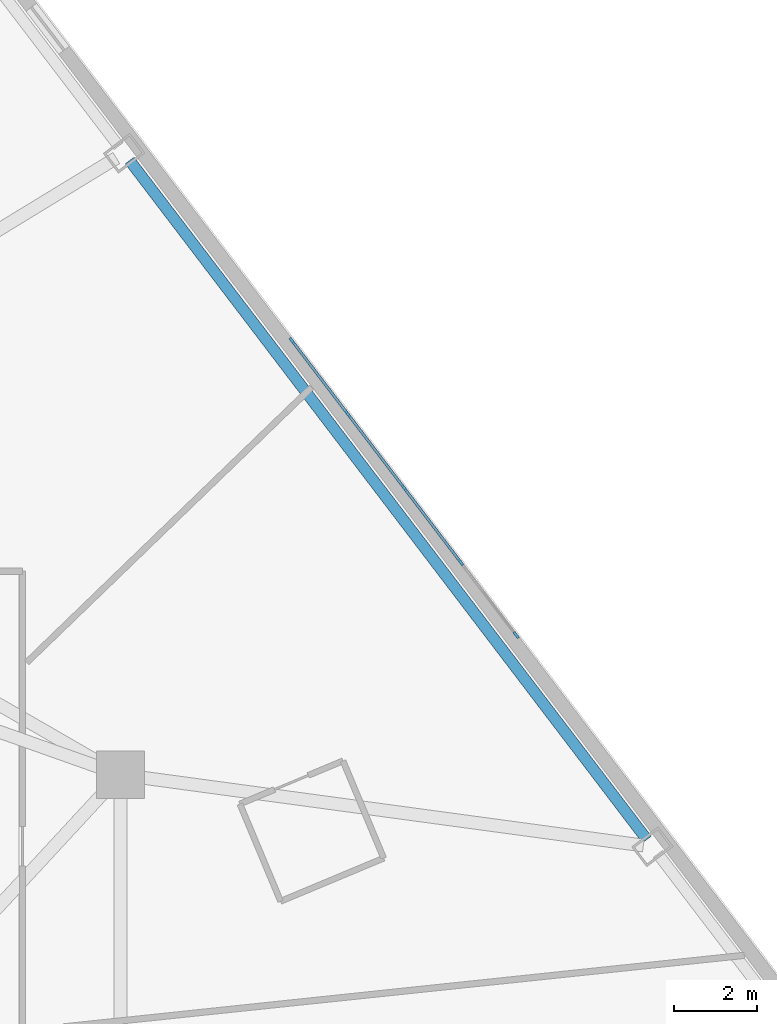
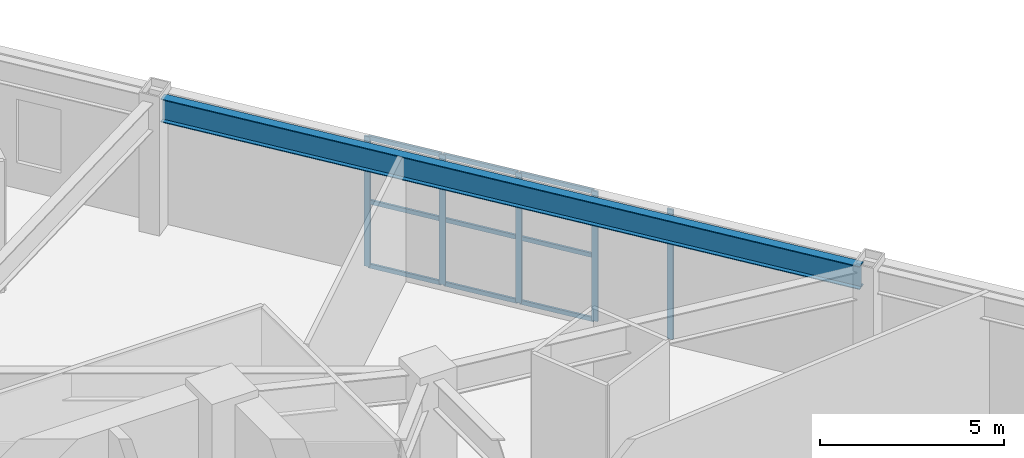
# One storey, part 6 of 21: 14 members, 1 beam, 1 element without a shape of its own.
"""IFC4 building model written with IfcOpenShell, lengths in metres."""

import ifcopenshell
import ifcopenshell.guid

model = None  # the IFC model being written
_history = None  # IfcOwnerHistory: only IFC2X3 demands one
_inside = {}  # id of a spatial element -> (the spatial element, [elements in it])
_under = {}  # id of a project, library or spatial element -> (it, [spatial elements below it])
_declared = {}  # id of a project -> (the project, [libraries it declares])
_typed = {}  # id of a type object -> (the type object, [elements of that type])
_made_of = {}  # id of a material, layer set ... -> (it, [elements and type objects made of it])


def new_model(schema):
    """Start an empty IFC model of exactly this schema.

    Asked for "IFC4X3", IfcOpenShell would pick the latest addendum, in which some entities
    have other attributes; the version numbers below select the first issue.
    IFC2X3 requires an IfcOwnerHistory on every rooted entity: one is made here for all.
    """
    global model, _history
    if schema == "IFC4X3":
        model = ifcopenshell.file(schema_version=(4, 3, 0, 0))
    else:
        model = ifcopenshell.file(schema=schema)
    _inside.clear()
    _under.clear()
    _declared.clear()
    _typed.clear()
    _made_of.clear()
    _history = None
    if model.schema == "IFC2X3":
        org = make("IfcOrganization", Name="unknown")
        user = make(
            "IfcPersonAndOrganization",
            ThePerson=make("IfcPerson", FamilyName="unknown"),
            TheOrganization=org,
        )
        app = make(
            "IfcApplication",
            ApplicationDeveloper=org,
            Version="unknown",
            ApplicationFullName="unknown",
            ApplicationIdentifier="unknown",
        )
        _history = make(
            "IfcOwnerHistory",
            OwningUser=user,
            OwningApplication=app,
            ChangeAction="ADDED",
            CreationDate=0,
        )
    return model


def make(cls, **values):
    """One entity of the class cls with the attributes given. An attribute that is None is left unset."""
    return model.create_entity(
        cls, **{name: value for name, value in values.items() if value is not None}
    )


def rooted(cls, **values):
    """An entity with a GlobalId (a new one), such as an element, a storey or a relation."""
    return make(cls, GlobalId=ifcopenshell.guid.new(), OwnerHistory=_history, **values)


def si_unit(unit_type, name, prefix=None):
    """IfcSIUnit, for example si_unit("LENGTHUNIT", "METRE", prefix="MILLI")."""
    return make("IfcSIUnit", UnitType=unit_type, Prefix=prefix, Name=name)


def assignment(units):
    """IfcUnitAssignment: the units of a project."""
    return None if units is None else make("IfcUnitAssignment", Units=units)


def point(xyz):
    """IfcCartesianPoint."""
    return None if xyz is None else make("IfcCartesianPoint", Coordinates=xyz)


def direction(xyz):
    """IfcDirection."""
    return None if xyz is None else make("IfcDirection", DirectionRatios=xyz)


def frame(location, z_axis=None, x_axis=None):
    """IfcAxis2Placement3D, a coordinate frame: its origin and axes. An axis left out is left unset."""
    return make(
        "IfcAxis2Placement3D",
        Location=point(location),
        Axis=direction(z_axis),
        RefDirection=direction(x_axis),
    )


def frame_2d(location, x_axis=None):
    """IfcAxis2Placement2D, a coordinate frame in the plane: its origin and x axis."""
    return make(
        "IfcAxis2Placement2D", Location=point(location), RefDirection=direction(x_axis)
    )


def origin():
    """The frame at (0, 0, 0) with its axes left unset."""
    return frame((0.0, 0.0, 0.0))


def origin_2d():
    """The frame at (0, 0) in the plane with its x axis left unset."""
    return frame_2d((0.0, 0.0))


def place(relative_to, where):
    """IfcLocalPlacement: puts the frame where relative to a parent placement (None: the world)."""
    return make(
        "IfcLocalPlacement", PlacementRelTo=relative_to, RelativePlacement=where
    )


def context(
    kind, dimensions, precision=None, world=None, true_north=None, identifier=None
):
    """IfcGeometricRepresentationContext, for example the 3D "Model" context."""
    return make(
        "IfcGeometricRepresentationContext",
        ContextIdentifier=identifier,
        ContextType=kind,
        CoordinateSpaceDimension=dimensions,
        Precision=precision,
        WorldCoordinateSystem=world,
        TrueNorth=true_north,
    )


def subcontext(parent, identifier, kind, view, scale=None):
    """IfcGeometricRepresentationSubContext, for example "Body" below "Model"."""
    return make(
        "IfcGeometricRepresentationSubContext",
        ContextIdentifier=identifier,
        ContextType=kind,
        ParentContext=parent,
        TargetScale=scale,
        TargetView=view,
    )


def project(units=None, contexts=None):
    """IfcProject with its units and contexts."""
    return rooted(
        "IfcProject",
        Name="project",
        RepresentationContexts=contexts,
        UnitsInContext=assignment(units),
    )


def spatial(cls, under=None, at=None, **own):
    """A site, building, storey or space (cls), placed at a placement, below another one or the project."""
    s = rooted(cls, ObjectPlacement=at, **own)
    if under is not None:
        _under.setdefault(under.id(), (under, []))[1].append(s)
    return s


def profile(cls, at=None, kind="AREA", **sizes):
    """A parametric profile (cls). Its sizes go by their IFC names, for example OverallWidth=200.0."""
    return make(cls, ProfileType=kind, Position=at, **sizes)


def rectangle(**sizes):
    """IfcRectangleProfileDef."""
    return profile("IfcRectangleProfileDef", **sizes)


def i_section(**sizes):
    """IfcIShapeProfileDef."""
    return profile("IfcIShapeProfileDef", **sizes)


def extrude(swept, where, along, depth):
    """IfcExtrudedAreaSolid: the profile swept, set in the frame where, extruded along a direction by depth."""
    return make(
        "IfcExtrudedAreaSolid",
        SweptArea=swept,
        Position=where,
        ExtrudedDirection=direction(along),
        Depth=depth,
    )


def shape(context_of_items, identifier, shape_type, items):
    """IfcShapeRepresentation: the items that make up one representation, for example the "Body"."""
    return make(
        "IfcShapeRepresentation",
        ContextOfItems=context_of_items,
        RepresentationIdentifier=identifier,
        RepresentationType=shape_type,
        Items=items,
    )


def material(Name=None, Category=None):
    """IfcMaterial."""
    return make("IfcMaterial", Name=Name, Category=Category)


def layer(
    of_material, thickness, ventilated=None, Name=None, Category=None, Priority=None
):
    """IfcMaterialLayer: one layer of a wall or slab, of a material (None: an air gap)."""
    return make(
        "IfcMaterialLayer",
        Material=of_material,
        LayerThickness=thickness,
        IsVentilated=ventilated,
        Name=Name,
        Category=Category,
        Priority=Priority,
    )


def layer_set(layers, Name=None):
    """IfcMaterialLayerSet."""
    return make("IfcMaterialLayerSet", MaterialLayers=layers, LayerSetName=Name)


def material_profile(
    of_material, cross_section, Name=None, Category=None, Priority=None
):
    """IfcMaterialProfile: a cross section and its material."""
    return make(
        "IfcMaterialProfile",
        Name=Name,
        Material=of_material,
        Profile=cross_section,
        Priority=Priority,
        Category=Category,
    )


def profile_set(profiles, Name=None, composite=None):
    """IfcMaterialProfileSet."""
    return make(
        "IfcMaterialProfileSet",
        Name=Name,
        MaterialProfiles=profiles,
        CompositeProfile=composite,
    )


def made_of(thing, what):
    """Note that an element or type object is made of a material, layer set ...; save() writes the relation."""
    if what is not None:
        _made_of.setdefault(what.id(), (what, []))[1].append(thing)
    return thing


def type_object(cls, material=None, **own):
    """A type object (cls), such as IfcWallType, which elements share."""
    return made_of(rooted(cls, **own), material)


def element(
    cls,
    number,
    at=None,
    inside=None,
    cuts=None,
    type_object=None,
    material=None,
    context=None,
    identifier="Body",
    shape_type=None,
    held_by="IfcProductDefinitionShape",
    body=None,
    shapes=None,
    **own,
):
    """One element of the class cls, such as IfcWall. Its Tag is "e" and its number.

    at: its placement. inside: the storey or other place that contains it. cuts: it is an
    opening in that element (IfcRelVoidsElement). A single representation is given by context,
    identifier, shape_type and body (its items); several are given by shapes. held_by: the class
    of the entity that holds the representations. save() writes the other relations.
    """
    e = rooted(cls, Tag="e%d" % number, ObjectPlacement=at, **own)
    if body is not None:
        shapes = [shape(context, identifier, shape_type, body)]
    if shapes is not None:
        e.Representation = make(held_by, Representations=shapes)
    if inside is not None:
        _inside.setdefault(inside.id(), (inside, []))[1].append(e)
    if cuts is not None:
        rooted(
            "IfcRelVoidsElement", RelatingBuildingElement=cuts, RelatedOpeningElement=e
        )
    if type_object is not None:
        _typed.setdefault(type_object.id(), (type_object, []))[1].append(e)
    return made_of(e, material)


def aggregate(whole, parts):
    """IfcRelAggregates: a whole, such as a stair, and the parts it consists of."""
    return rooted("IfcRelAggregates", RelatingObject=whole, RelatedObjects=parts)


def save(model, path):
    """Write the relations noted so far, then the file.

    IfcRelAggregates (storeys below a building ...), IfcRelContainedInSpatialStructure (elements
    in a storey), IfcRelDefinesByType, IfcRelAssociatesMaterial and IfcRelDeclares: one each for
    every whole, place, type object, material and project.
    """
    for whole, parts in _under.values():
        aggregate(whole, parts)
    for where, things in _inside.values():
        rooted(
            "IfcRelContainedInSpatialStructure",
            RelatedElements=things,
            RelatingStructure=where,
        )
    for kind, things in _typed.values():
        rooted("IfcRelDefinesByType", RelatedObjects=things, RelatingType=kind)
    for what, things in _made_of.values():
        rooted("IfcRelAssociatesMaterial", RelatedObjects=things, RelatingMaterial=what)
    for by, libraries in _declared.values():
        rooted("IfcRelDeclares", RelatingContext=by, RelatedDefinitions=libraries)
    model.write(path)


model = new_model("IFC4")

# Units and contexts
model_context = context("Model", 3, precision=1e-05, world=origin(), true_north=direction((0.0, 1.0)))
body_context = subcontext(model_context, "Body", "Model", "MODEL_VIEW")
ifc_project = project(units=[si_unit("LENGTHUNIT", "METRE"), si_unit("AREAUNIT", "SQUARE_METRE"), si_unit("VOLUMEUNIT", "CUBIC_METRE"), si_unit("PLANEANGLEUNIT", "RADIAN"), si_unit("MASSUNIT", "GRAM", prefix="KILO")], contexts=[model_context])

# Site, building, storey
site_placement = place(None, origin())
site = spatial("IfcSite", under=ifc_project, at=site_placement, CompositionType="ELEMENT")
building_placement = place(site_placement, origin())
building = spatial("IfcBuilding", under=site, at=building_placement, Name="Apsidion Concourse Tower", CompositionType="ELEMENT")
storey_placement = place(building_placement, frame((0.0, 0.0, 62.39990234375)))
storey = spatial("IfcBuildingStorey", under=building, at=storey_placement, Name="L13", CompositionType="ELEMENT", Elevation=62.39990234375)

# Beam
ifc_material_1 = material(Name="Structural steel ASTM A992 Grade 50", Category="steel")
ifc_material_profile_1 = material_profile(ifc_material_1, i_section(OverallWidth=0.26806640625, OverallDepth=0.77001953125, WebThickness=0.015625, FlangeThickness=0.025390625, at=origin_2d()), Name="W30X132")
ifc_profile_set_1 = profile_set([ifc_material_profile_1], Name="Structural steel ASTM A992 Grade 50")
beam_type = type_object("IfcBeamType", Name="BM-SP-W30", PredefinedType="SPANDREL", material=ifc_profile_set_1)
beam_placement = place(storey_placement, frame((25.238037109375, 5.689208984375, 3.965087890625), z_axis=(-0.605973428299, 0.795484886215, 0.0), x_axis=(-0.795484886215, -0.605973428299, 0.0)))
element("IfcBeam", 1, at=beam_placement, inside=storey, type_object=beam_type, Name="L13 Perimeter Spandrel Girder SP-10", PredefinedType="SPANDREL", context=body_context, shape_type="SweptSolid", body=[
    extrude(i_section(OverallWidth=0.26806640625, OverallDepth=0.77001953125, WebThickness=0.015625, FlangeThickness=0.025390625, at=origin_2d()), origin(), (0.0, 0.0, 1.0), 20.55419921875),
])

# Curtain wall, members
ifc_material_2 = material(Name="Insulated laminated low-E glass", Category="glass")
ifc_layer = layer(ifc_material_2, 0.2099609375)
ifc_layer_set = layer_set([ifc_layer], Name="Insulated laminated low-E glass")
curtain_wall_type = type_object("IfcCurtainWallType", Name="CW-SYS-03", PredefinedType="NOTDEFINED", material=ifc_layer_set)
curtain_wall_placement = place(storey_placement, origin())
curtain_wall = element("IfcCurtainWall", 2, at=curtain_wall_placement, inside=storey, type_object=curtain_wall_type, Name="L13 Sky Lobby Curtain Wall 1", PredefinedType="NOTDEFINED")
ifc_material_3 = material(Name="Anodised aluminium EN AW-6063 T6", Category="aluminium")
ifc_material_profile_2 = material_profile(ifc_material_3, rectangle(XDim=0.06494140625, YDim=0.179931640625, at=origin_2d()), Name="ALU MULLION 65x180")
ifc_profile_set_2 = profile_set([ifc_material_profile_2], Name="Anodised aluminium EN AW-6063 T6")
member_type_1 = type_object("IfcMemberType", Name="CWM-65X180", PredefinedType="MULLION", material=ifc_profile_set_2)
member_1_placement = place(storey_placement, frame((16.69677734375, 17.694580078125, 0.0), z_axis=(0.0, 0.0, 1.0), x_axis=(0.795558662128, 0.605876567556, 0.0)))
member_1 = element("IfcMember", 3, at=member_1_placement, type_object=member_type_1, Name="CW-03 mullion 1", PredefinedType="MULLION", context=body_context, shape_type="SweptSolid", body=[
    extrude(rectangle(XDim=0.06494140625, YDim=0.179931640625, at=origin_2d()), origin(), (0.0, 0.0, 1.0), 4.300048828125),
])
member_2_placement = place(storey_placement, frame((18.03564453125, 15.936767578125, 0.0), z_axis=(0.0, 0.0, 1.0), x_axis=(0.795558662128, 0.605876567556, 0.0)))
member_2 = element("IfcMember", 4, at=member_2_placement, type_object=member_type_1, Name="CW-03 mullion 2", PredefinedType="MULLION", context=body_context, shape_type="SweptSolid", body=[
    extrude(rectangle(XDim=0.06494140625, YDim=0.179931640625, at=origin_2d()), origin(), (0.0, 0.0, 1.0), 4.300048828125),
])
member_3_placement = place(storey_placement, frame((19.39404296875, 14.153076171875, 0.0), z_axis=(0.0, 0.0, 1.0), x_axis=(0.795558662128, 0.605876567556, 0.0)))
member_3 = element("IfcMember", 5, at=member_3_placement, type_object=member_type_1, Name="CW-03 mullion 3", PredefinedType="MULLION", context=body_context, shape_type="SweptSolid", body=[
    extrude(rectangle(XDim=0.06494140625, YDim=0.179931640625, at=origin_2d()), origin(), (0.0, 0.0, 1.0), 4.300048828125),
])
member_4_placement = place(storey_placement, frame((20.75244140625, 12.369384765625, 0.0), z_axis=(0.0, 0.0, 1.0), x_axis=(0.795558662128, 0.605876567556, 0.0)))
member_4 = element("IfcMember", 6, at=member_4_placement, type_object=member_type_1, Name="CW-03 mullion 4", PredefinedType="MULLION", context=body_context, shape_type="SweptSolid", body=[
    extrude(rectangle(XDim=0.06494140625, YDim=0.179931640625, at=origin_2d()), origin(), (0.0, 0.0, 1.0), 4.300048828125),
])
member_5_placement = place(storey_placement, frame((22.091064453125, 10.611572265625, 0.0), z_axis=(0.0, 0.0, 1.0), x_axis=(0.795558662128, 0.605876567556, 0.0)))
member_5 = element("IfcMember", 7, at=member_5_placement, type_object=member_type_1, Name="CW-03 mullion 5", PredefinedType="MULLION", context=body_context, shape_type="SweptSolid", body=[
    extrude(rectangle(XDim=0.06494140625, YDim=0.179931640625, at=origin_2d()), origin(), (0.0, 0.0, 1.0), 4.300048828125),
])
ifc_material_profile_3 = material_profile(ifc_material_3, rectangle(XDim=0.06494140625, YDim=0.139892578125, at=origin_2d()), Name="ALU TRANSOM 65x140")
ifc_profile_set_3 = profile_set([ifc_material_profile_3], Name="Anodised aluminium EN AW-6063 T6")
member_type_2 = type_object("IfcMemberType", Name="CWT-65X140", PredefinedType="USERDEFINED", material=ifc_profile_set_3)
member_6_placement = place(storey_placement, frame((16.716552734375, 17.668701171875, 0.03271484375), z_axis=(0.605885420423, -0.795551919939, 0.0), x_axis=(0.795551919939, 0.605885420423, 0.0)))
member_6 = element("IfcMember", 8, at=member_6_placement, type_object=member_type_2, Name="CW-03 transom 1.1", ObjectType="TRANSOM", PredefinedType="USERDEFINED", context=body_context, shape_type="SweptSolid", body=[
    extrude(rectangle(XDim=0.06494140625, YDim=0.139892578125, at=origin_2d()), origin(), (0.0, 0.0, 1.0), 2.14453125),
])
member_7_placement = place(storey_placement, frame((16.716552734375, 17.668701171875, 2.150146484375), z_axis=(0.605885420423, -0.795551919939, 0.0), x_axis=(0.795551919939, 0.605885420423, 0.0)))
member_7 = element("IfcMember", 9, at=member_7_placement, type_object=member_type_2, Name="CW-03 transom 1.2", ObjectType="TRANSOM", PredefinedType="USERDEFINED", context=body_context, shape_type="SweptSolid", body=[
    extrude(rectangle(XDim=0.06494140625, YDim=0.139892578125, at=origin_2d()), origin(), (0.0, 0.0, 1.0), 2.14453125),
])
member_8_placement = place(storey_placement, frame((16.716552734375, 17.668701171875, 4.267578125), z_axis=(0.605885420423, -0.795551919939, 0.0), x_axis=(0.795551919939, 0.605885420423, 0.0)))
member_8 = element("IfcMember", 10, at=member_8_placement, type_object=member_type_2, Name="CW-03 transom 1.3", ObjectType="TRANSOM", PredefinedType="USERDEFINED", context=body_context, shape_type="SweptSolid", body=[
    extrude(rectangle(XDim=0.06494140625, YDim=0.139892578125, at=origin_2d()), origin(), (0.0, 0.0, 1.0), 2.14453125),
])
member_9_placement = place(storey_placement, frame((18.05517578125, 15.910888671875, 0.03271484375), z_axis=(0.605904677387, -0.795537253634, 0.0), x_axis=(0.795537253634, 0.605904677387, 0.0)))
member_9 = element("IfcMember", 11, at=member_9_placement, type_object=member_type_2, Name="CW-03 transom 2.1", ObjectType="TRANSOM", PredefinedType="USERDEFINED", context=body_context, shape_type="SweptSolid", body=[
    extrude(rectangle(XDim=0.06494140625, YDim=0.139892578125, at=origin_2d()), origin(), (0.0, 0.0, 1.0), 2.177001953125),
])
member_10_placement = place(storey_placement, frame((18.05517578125, 15.910888671875, 2.150146484375), z_axis=(0.605904677387, -0.795537253634, 0.0), x_axis=(0.795537253634, 0.605904677387, 0.0)))
member_10 = element("IfcMember", 12, at=member_10_placement, type_object=member_type_2, Name="CW-03 transom 2.2", ObjectType="TRANSOM", PredefinedType="USERDEFINED", context=body_context, shape_type="SweptSolid", body=[
    extrude(rectangle(XDim=0.06494140625, YDim=0.139892578125, at=origin_2d()), origin(), (0.0, 0.0, 1.0), 2.177001953125),
])
member_11_placement = place(storey_placement, frame((18.05517578125, 15.910888671875, 4.267578125), z_axis=(0.605904677387, -0.795537253634, 0.0), x_axis=(0.795537253634, 0.605904677387, 0.0)))
member_11 = element("IfcMember", 13, at=member_11_placement, type_object=member_type_2, Name="CW-03 transom 2.3", ObjectType="TRANSOM", PredefinedType="USERDEFINED", context=body_context, shape_type="SweptSolid", body=[
    extrude(rectangle(XDim=0.06494140625, YDim=0.139892578125, at=origin_2d()), origin(), (0.0, 0.0, 1.0), 2.177001953125),
])
member_12_placement = place(storey_placement, frame((19.41357421875, 14.127197265625, 0.03271484375), z_axis=(0.605904677387, -0.795537253634, 0.0), x_axis=(0.795537253634, 0.605904677387, 0.0)))
member_12 = element("IfcMember", 14, at=member_12_placement, type_object=member_type_2, Name="CW-03 transom 3.1", ObjectType="TRANSOM", PredefinedType="USERDEFINED", context=body_context, shape_type="SweptSolid", body=[
    extrude(rectangle(XDim=0.06494140625, YDim=0.139892578125, at=origin_2d()), origin(), (0.0, 0.0, 1.0), 2.177001953125),
])
member_13_placement = place(storey_placement, frame((19.41357421875, 14.127197265625, 2.150146484375), z_axis=(0.605904677387, -0.795537253634, 0.0), x_axis=(0.795537253634, 0.605904677387, 0.0)))
member_13 = element("IfcMember", 15, at=member_13_placement, type_object=member_type_2, Name="CW-03 transom 3.2", ObjectType="TRANSOM", PredefinedType="USERDEFINED", context=body_context, shape_type="SweptSolid", body=[
    extrude(rectangle(XDim=0.06494140625, YDim=0.139892578125, at=origin_2d()), origin(), (0.0, 0.0, 1.0), 2.177001953125),
])
member_14_placement = place(storey_placement, frame((19.41357421875, 14.127197265625, 4.267578125), z_axis=(0.605904677387, -0.795537253634, 0.0), x_axis=(0.795537253634, 0.605904677387, 0.0)))
member_14 = element("IfcMember", 16, at=member_14_placement, type_object=member_type_2, Name="CW-03 transom 3.3", ObjectType="TRANSOM", PredefinedType="USERDEFINED", context=body_context, shape_type="SweptSolid", body=[
    extrude(rectangle(XDim=0.06494140625, YDim=0.139892578125, at=origin_2d()), origin(), (0.0, 0.0, 1.0), 2.177001953125),
])
aggregate(curtain_wall, [member_1, member_2, member_3, member_4, member_5, member_6, member_7, member_8, member_9, member_10, member_11, member_12, member_13, member_14])

save(model, "model.ifc")
